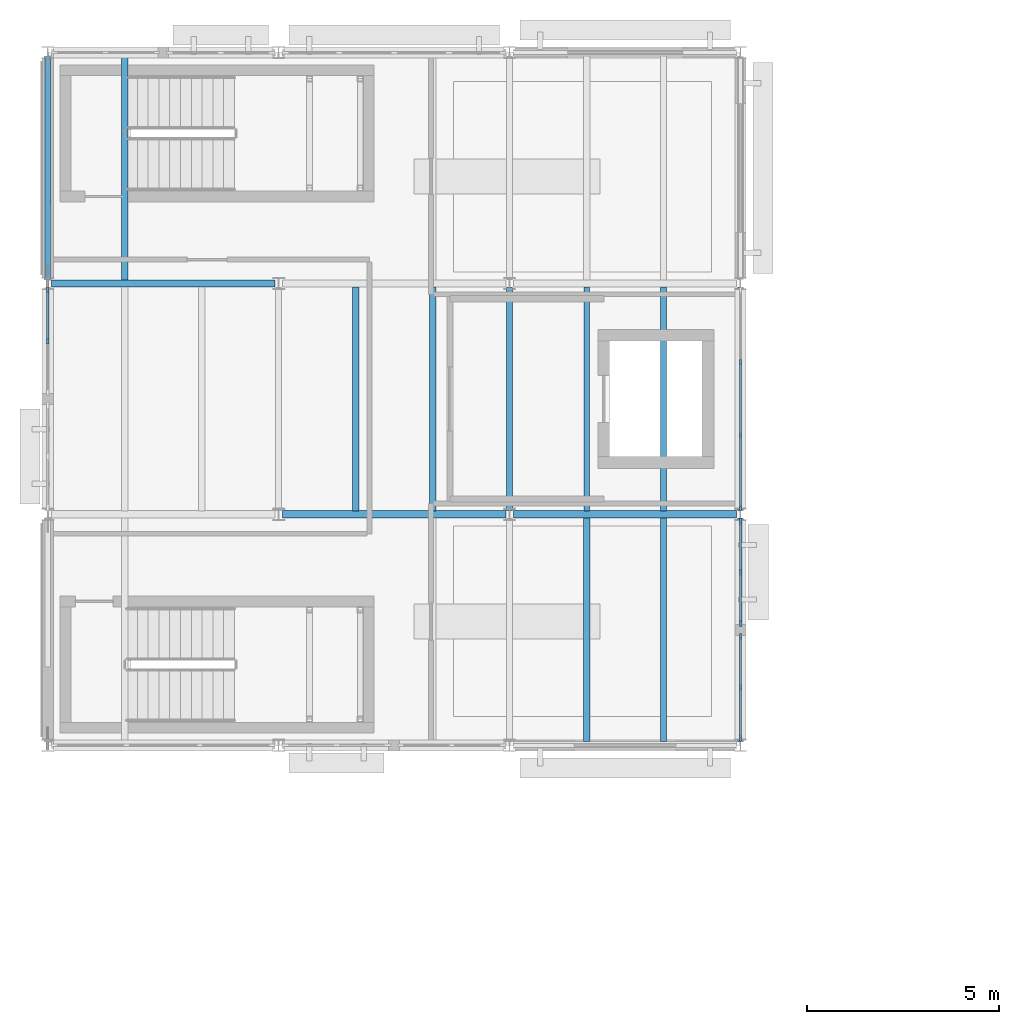
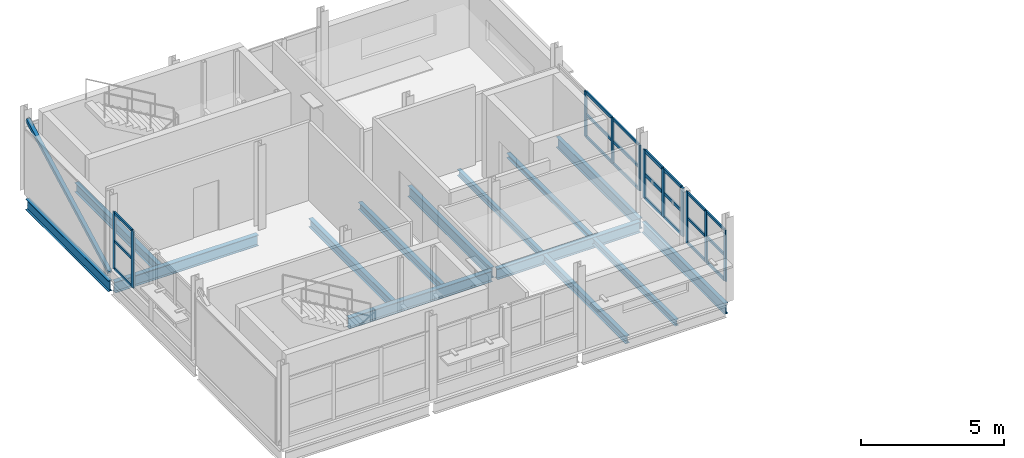
# One storey, part 4 of 20: 33 members, 14 beams, 4 elements without a shape of their own.
"""IFC4 building model written with IfcOpenShell, lengths in metres."""

import ifcopenshell
import ifcopenshell.guid

model = None  # the IFC model being written
_history = None  # IfcOwnerHistory: only IFC2X3 demands one
_inside = {}  # id of a spatial element -> (the spatial element, [elements in it])
_under = {}  # id of a project, library or spatial element -> (it, [spatial elements below it])
_declared = {}  # id of a project -> (the project, [libraries it declares])
_typed = {}  # id of a type object -> (the type object, [elements of that type])
_made_of = {}  # id of a material, layer set ... -> (it, [elements and type objects made of it])


def new_model(schema):
    """Start an empty IFC model of exactly this schema.

    Asked for "IFC4X3", IfcOpenShell would pick the latest addendum, in which some entities
    have other attributes; the version numbers below select the first issue.
    IFC2X3 requires an IfcOwnerHistory on every rooted entity: one is made here for all.
    """
    global model, _history
    if schema == "IFC4X3":
        model = ifcopenshell.file(schema_version=(4, 3, 0, 0))
    else:
        model = ifcopenshell.file(schema=schema)
    _inside.clear()
    _under.clear()
    _declared.clear()
    _typed.clear()
    _made_of.clear()
    _history = None
    if model.schema == "IFC2X3":
        org = make("IfcOrganization", Name="unknown")
        user = make(
            "IfcPersonAndOrganization",
            ThePerson=make("IfcPerson", FamilyName="unknown"),
            TheOrganization=org,
        )
        app = make(
            "IfcApplication",
            ApplicationDeveloper=org,
            Version="unknown",
            ApplicationFullName="unknown",
            ApplicationIdentifier="unknown",
        )
        _history = make(
            "IfcOwnerHistory",
            OwningUser=user,
            OwningApplication=app,
            ChangeAction="ADDED",
            CreationDate=0,
        )
    return model


def make(cls, **values):
    """One entity of the class cls with the attributes given. An attribute that is None is left unset."""
    return model.create_entity(
        cls, **{name: value for name, value in values.items() if value is not None}
    )


def rooted(cls, **values):
    """An entity with a GlobalId (a new one), such as an element, a storey or a relation."""
    return make(cls, GlobalId=ifcopenshell.guid.new(), OwnerHistory=_history, **values)


def si_unit(unit_type, name, prefix=None):
    """IfcSIUnit, for example si_unit("LENGTHUNIT", "METRE", prefix="MILLI")."""
    return make("IfcSIUnit", UnitType=unit_type, Prefix=prefix, Name=name)


def assignment(units):
    """IfcUnitAssignment: the units of a project."""
    return None if units is None else make("IfcUnitAssignment", Units=units)


def point(xyz):
    """IfcCartesianPoint."""
    return None if xyz is None else make("IfcCartesianPoint", Coordinates=xyz)


def direction(xyz):
    """IfcDirection."""
    return None if xyz is None else make("IfcDirection", DirectionRatios=xyz)


def frame(location, z_axis=None, x_axis=None):
    """IfcAxis2Placement3D, a coordinate frame: its origin and axes. An axis left out is left unset."""
    return make(
        "IfcAxis2Placement3D",
        Location=point(location),
        Axis=direction(z_axis),
        RefDirection=direction(x_axis),
    )


def frame_2d(location, x_axis=None):
    """IfcAxis2Placement2D, a coordinate frame in the plane: its origin and x axis."""
    return make(
        "IfcAxis2Placement2D", Location=point(location), RefDirection=direction(x_axis)
    )


def origin():
    """The frame at (0, 0, 0) with its axes left unset."""
    return frame((0.0, 0.0, 0.0))


def origin_2d():
    """The frame at (0, 0) in the plane with its x axis left unset."""
    return frame_2d((0.0, 0.0))


def place(relative_to, where):
    """IfcLocalPlacement: puts the frame where relative to a parent placement (None: the world)."""
    return make(
        "IfcLocalPlacement", PlacementRelTo=relative_to, RelativePlacement=where
    )


def context(
    kind, dimensions, precision=None, world=None, true_north=None, identifier=None
):
    """IfcGeometricRepresentationContext, for example the 3D "Model" context."""
    return make(
        "IfcGeometricRepresentationContext",
        ContextIdentifier=identifier,
        ContextType=kind,
        CoordinateSpaceDimension=dimensions,
        Precision=precision,
        WorldCoordinateSystem=world,
        TrueNorth=true_north,
    )


def subcontext(parent, identifier, kind, view, scale=None):
    """IfcGeometricRepresentationSubContext, for example "Body" below "Model"."""
    return make(
        "IfcGeometricRepresentationSubContext",
        ContextIdentifier=identifier,
        ContextType=kind,
        ParentContext=parent,
        TargetScale=scale,
        TargetView=view,
    )


def project(units=None, contexts=None):
    """IfcProject with its units and contexts."""
    return rooted(
        "IfcProject",
        Name="project",
        RepresentationContexts=contexts,
        UnitsInContext=assignment(units),
    )


def spatial(cls, under=None, at=None, **own):
    """A site, building, storey or space (cls), placed at a placement, below another one or the project."""
    s = rooted(cls, ObjectPlacement=at, **own)
    if under is not None:
        _under.setdefault(under.id(), (under, []))[1].append(s)
    return s


def profile(cls, at=None, kind="AREA", **sizes):
    """A parametric profile (cls). Its sizes go by their IFC names, for example OverallWidth=200.0."""
    return make(cls, ProfileType=kind, Position=at, **sizes)


def rectangle(**sizes):
    """IfcRectangleProfileDef."""
    return profile("IfcRectangleProfileDef", **sizes)


def hollow_rectangle(**sizes):
    """IfcRectangleHollowProfileDef."""
    return profile("IfcRectangleHollowProfileDef", **sizes)


def i_section(**sizes):
    """IfcIShapeProfileDef."""
    return profile("IfcIShapeProfileDef", **sizes)


def extrude(swept, where, along, depth):
    """IfcExtrudedAreaSolid: the profile swept, set in the frame where, extruded along a direction by depth."""
    return make(
        "IfcExtrudedAreaSolid",
        SweptArea=swept,
        Position=where,
        ExtrudedDirection=direction(along),
        Depth=depth,
    )


def shape(context_of_items, identifier, shape_type, items):
    """IfcShapeRepresentation: the items that make up one representation, for example the "Body"."""
    return make(
        "IfcShapeRepresentation",
        ContextOfItems=context_of_items,
        RepresentationIdentifier=identifier,
        RepresentationType=shape_type,
        Items=items,
    )


def material(Name=None, Category=None):
    """IfcMaterial."""
    return make("IfcMaterial", Name=Name, Category=Category)


def material_profile(
    of_material, cross_section, Name=None, Category=None, Priority=None
):
    """IfcMaterialProfile: a cross section and its material."""
    return make(
        "IfcMaterialProfile",
        Name=Name,
        Material=of_material,
        Profile=cross_section,
        Priority=Priority,
        Category=Category,
    )


def profile_set(profiles, Name=None, composite=None):
    """IfcMaterialProfileSet."""
    return make(
        "IfcMaterialProfileSet",
        Name=Name,
        MaterialProfiles=profiles,
        CompositeProfile=composite,
    )


def made_of(thing, what):
    """Note that an element or type object is made of a material, layer set ...; save() writes the relation."""
    if what is not None:
        _made_of.setdefault(what.id(), (what, []))[1].append(thing)
    return thing


def type_object(cls, material=None, **own):
    """A type object (cls), such as IfcWallType, which elements share."""
    return made_of(rooted(cls, **own), material)


def element(
    cls,
    number,
    at=None,
    inside=None,
    cuts=None,
    type_object=None,
    material=None,
    context=None,
    identifier="Body",
    shape_type=None,
    held_by="IfcProductDefinitionShape",
    body=None,
    shapes=None,
    **own,
):
    """One element of the class cls, such as IfcWall. Its Tag is "e" and its number.

    at: its placement. inside: the storey or other place that contains it. cuts: it is an
    opening in that element (IfcRelVoidsElement). A single representation is given by context,
    identifier, shape_type and body (its items); several are given by shapes. held_by: the class
    of the entity that holds the representations. save() writes the other relations.
    """
    e = rooted(cls, Tag="e%d" % number, ObjectPlacement=at, **own)
    if body is not None:
        shapes = [shape(context, identifier, shape_type, body)]
    if shapes is not None:
        e.Representation = make(held_by, Representations=shapes)
    if inside is not None:
        _inside.setdefault(inside.id(), (inside, []))[1].append(e)
    if cuts is not None:
        rooted(
            "IfcRelVoidsElement", RelatingBuildingElement=cuts, RelatedOpeningElement=e
        )
    if type_object is not None:
        _typed.setdefault(type_object.id(), (type_object, []))[1].append(e)
    return made_of(e, material)


def aggregate(whole, parts):
    """IfcRelAggregates: a whole, such as a stair, and the parts it consists of."""
    return rooted("IfcRelAggregates", RelatingObject=whole, RelatedObjects=parts)


def save(model, path):
    """Write the relations noted so far, then the file.

    IfcRelAggregates (storeys below a building ...), IfcRelContainedInSpatialStructure (elements
    in a storey), IfcRelDefinesByType, IfcRelAssociatesMaterial and IfcRelDeclares: one each for
    every whole, place, type object, material and project.
    """
    for whole, parts in _under.values():
        aggregate(whole, parts)
    for where, things in _inside.values():
        rooted(
            "IfcRelContainedInSpatialStructure",
            RelatedElements=things,
            RelatingStructure=where,
        )
    for kind, things in _typed.values():
        rooted("IfcRelDefinesByType", RelatedObjects=things, RelatingType=kind)
    for what, things in _made_of.values():
        rooted("IfcRelAssociatesMaterial", RelatedObjects=things, RelatingMaterial=what)
    for by, libraries in _declared.values():
        rooted("IfcRelDeclares", RelatingContext=by, RelatedDefinitions=libraries)
    model.write(path)


model = new_model("IFC4")

# Units and contexts
model_context = context("Model", 3, precision=1e-05, world=origin(), true_north=direction((0.0, 1.0)))
body_context = subcontext(model_context, "Body", "Model", "MODEL_VIEW")
ifc_project = project(units=[si_unit("LENGTHUNIT", "METRE"), si_unit("AREAUNIT", "SQUARE_METRE"), si_unit("VOLUMEUNIT", "CUBIC_METRE"), si_unit("PLANEANGLEUNIT", "RADIAN"), si_unit("MASSUNIT", "GRAM", prefix="KILO")], contexts=[model_context])

# Site, building, storey
site_placement = place(None, origin())
site = spatial("IfcSite", under=ifc_project, at=site_placement, CompositionType="ELEMENT")
building_placement = place(site_placement, origin())
building = spatial("IfcBuilding", under=site, at=building_placement, Name="Siltcreek Boulevard Central Fire Station", CompositionType="ELEMENT")
storey_placement = place(building_placement, frame((0.0, 0.0, 18.0)))
storey = spatial("IfcBuildingStorey", under=building, at=storey_placement, Name="L05", CompositionType="ELEMENT", Elevation=18.0)

# Beams
ifc_material_1 = material(Name="Structural steel ASTM A992 Gr50", Category="steel")
ifc_material_profile_1 = material_profile(ifc_material_1, i_section(OverallWidth=0.154052734375, OverallDepth=0.458984375, WebThickness=0.009033203125, FlangeThickness=0.015380859375, at=origin_2d()), Name="W460X68")
ifc_profile_set_1 = profile_set([ifc_material_profile_1], Name="Structural steel ASTM A992 Gr50")
beam_type_1 = type_object("IfcBeamType", Name="BM_W460X68", PredefinedType="BEAM", material=ifc_profile_set_1)
for number, where, z_axis, x_axis, name in (
    (1, (42.0, 106.300048828125, -0.469482421875), (0.0, 1.0, 0.0), (-1.0, 0.0, 0.0), "L05 primary steel girder GY-0608"),
    (2, (54.0, 100.300048828125, -0.469482421875), (0.0, 1.0, 0.0), (-1.0, 0.0, 0.0), "L05 primary steel girder GY-0611"),
    (3, (60.0, 94.300048828125, -0.469482421875), (0.0, 1.0, 0.0), (-1.0, 0.0, 0.0), "L05 primary steel girder GY-0613"),
    (4, (60.0, 100.300048828125, -0.469482421875), (0.0, 1.0, 0.0), (-1.0, 0.0, 0.0), "L05 primary steel girder GY-0614"),
):
    element("IfcBeam", number, at=place(storey_placement, frame(where, z_axis=z_axis, x_axis=x_axis)), inside=storey, type_object=beam_type_1, Name=name, PredefinedType="BEAM", context=body_context, shape_type="SweptSolid", body=[
        extrude(i_section(OverallWidth=0.154052734375, OverallDepth=0.458984375, WebThickness=0.009033203125, FlangeThickness=0.015380859375, at=origin_2d()), origin(), (0.0, 0.0, 1.0), 5.800048828125),
    ])
ifc_material_profile_2 = material_profile(ifc_material_1, i_section(OverallWidth=0.19189453125, OverallDepth=0.462890625, WebThickness=0.010498046875, FlangeThickness=0.017578125, at=origin_2d()), Name="W460X89")
ifc_profile_set_2 = profile_set([ifc_material_profile_2], Name="Structural steel ASTM A992 Gr50")
beam_type_2 = type_object("IfcBeamType", Name="BM_W460X89", PredefinedType="BEAM", material=ifc_profile_set_2)
for number, where, z_axis, x_axis, name in (
    (5, (48.10009765625, 100.199951171875, -0.471435546875), (1.0, 0.0, 0.0), (0.0, 1.0, 0.0), "L05 primary steel girder GX-0598"),
    (6, (54.10009765625, 100.199951171875, -0.471435546875), (1.0, 0.0, 0.0), (0.0, 1.0, 0.0), "L05 primary steel girder GX-0599"),
    (7, (42.10009765625, 106.199951171875, -0.471435546875), (1.0, 0.0, 0.0), (0.0, 1.0, 0.0), "L05 primary steel girder GX-0600"),
):
    element("IfcBeam", number, at=place(storey_placement, frame(where, z_axis=z_axis, x_axis=x_axis)), inside=storey, type_object=beam_type_2, Name=name, PredefinedType="BEAM", context=body_context, shape_type="SweptSolid", body=[
        extrude(i_section(OverallWidth=0.19189453125, OverallDepth=0.462890625, WebThickness=0.010498046875, FlangeThickness=0.017578125, at=origin_2d()), origin(), (0.0, 0.0, 1.0), 5.7998046875),
    ])

# Member
ifc_material_2 = material(Name="Structural steel ASTM A500 GrC", Category="steel")
ifc_material_profile_3 = material_profile(ifc_material_2, hollow_rectangle(XDim=0.14990234375, YDim=0.14990234375, WallThickness=0.00634765625, at=origin_2d()), Name="HSS150X150X6.4")
ifc_profile_set_3 = profile_set([ifc_material_profile_3], Name="Structural steel ASTM A500 GrC")
member_type_1 = type_object("IfcMemberType", Name="BR_HSS150_6", PredefinedType="BRACE", material=ifc_profile_set_3)
member_1_placement = place(storey_placement, frame((42.0, 106.320068359375, 0.10009765625), z_axis=(0.0, 0.883763313865, 0.467934188819), x_axis=(-1.0, 0.0, 0.0)))
element("IfcMember", 8, at=member_1_placement, inside=storey, type_object=member_type_1, Name="L05 SCBF concentrically braced frame BR-023", PredefinedType="BRACE", context=body_context, shape_type="SweptSolid", body=[
    extrude(hollow_rectangle(XDim=0.14990234375, YDim=0.14990234375, WallThickness=0.00634765625, at=origin_2d()), origin(), (0.0, 0.0, 1.0), 6.517578125),
])

# Curtain wall, members
ifc_material_3 = material(Name="Anodized aluminum and low-E insulated glazing", Category="aluminium")
curtain_wall_type_1 = type_object("IfcCurtainWallType", Name="CW_SYS_14", PredefinedType="USERDEFINED", material=ifc_material_3)
curtain_wall_1_placement = place(storey_placement, origin())
curtain_wall_1 = element("IfcCurtainWall", 9, at=curtain_wall_1_placement, inside=storey, type_object=curtain_wall_type_1, Name="L05 V3 unitised curtain wall CW-073", ObjectType="CURTAIN WALL", PredefinedType="USERDEFINED")
ifc_material_4 = material(Name="Anodized 6063-T6 aluminum framing", Category="aluminium")
ifc_material_profile_4 = material_profile(ifc_material_4, rectangle(XDim=0.06005859375, YDim=0.14990234375, at=origin_2d()), Name="MULL60X150")
ifc_profile_set_4 = profile_set([ifc_material_profile_4], Name="Anodized 6063-T6 aluminum framing")
member_type_2 = type_object("IfcMemberType", Name="CWM_60X150", PredefinedType="MULLION", material=ifc_profile_set_4)
member_2_placement = place(storey_placement, frame((42.0, 106.02490234375, 0.43994140625), z_axis=(0.0, 0.0, 1.0), x_axis=(1.0, 0.0, 0.0)))
member_2 = element("IfcMember", 10, at=member_2_placement, type_object=member_type_2, Name="CW-073 mullion 1", PredefinedType="MULLION", context=body_context, shape_type="SweptSolid", body=[
    extrude(rectangle(XDim=0.06005859375, YDim=0.14990234375, at=origin_2d()), origin(), (0.0, 0.0, 1.0), 2.43310546875),
])
member_3_placement = place(storey_placement, frame((42.0, 104.697509765625, 0.43994140625), z_axis=(0.0, 0.0, 1.0), x_axis=(1.0, 0.0, 0.0)))
member_3 = element("IfcMember", 11, at=member_3_placement, type_object=member_type_2, Name="CW-073 mullion 2", PredefinedType="MULLION", context=body_context, shape_type="SweptSolid", body=[
    extrude(rectangle(XDim=0.06005859375, YDim=0.14990234375, at=origin_2d()), origin(), (0.0, 0.0, 1.0), 2.43310546875),
])

curtain_wall_type_2 = type_object("IfcCurtainWallType", Name="CW_SYS_16", PredefinedType="USERDEFINED", material=ifc_material_3)
curtain_wall_2_placement = place(storey_placement, origin())
curtain_wall_2 = element("IfcCurtainWall", 12, at=curtain_wall_2_placement, inside=storey, type_object=curtain_wall_type_2, Name="L05 V3 unitised curtain wall CW-075", ObjectType="CURTAIN WALL", PredefinedType="USERDEFINED")
member_4_placement = place(storey_placement, frame((60.0, 94.375, 0.679931640625), z_axis=(0.0, 0.0, 1.0), x_axis=(-1.0, 0.0, 0.0)))
member_4 = element("IfcMember", 13, at=member_4_placement, type_object=member_type_2, Name="CW-075 mullion 1", PredefinedType="MULLION", context=body_context, shape_type="SweptSolid", body=[
    extrude(rectangle(XDim=0.06005859375, YDim=0.14990234375, at=origin_2d()), origin(), (0.0, 0.0, 1.0), 2.193115234375),
])
member_5_placement = place(storey_placement, frame((60.0, 95.702392578125, 0.679931640625), z_axis=(0.0, 0.0, 1.0), x_axis=(-1.0, 0.0, 0.0)))
member_5 = element("IfcMember", 14, at=member_5_placement, type_object=member_type_2, Name="CW-075 mullion 2", PredefinedType="MULLION", context=body_context, shape_type="SweptSolid", body=[
    extrude(rectangle(XDim=0.06005859375, YDim=0.14990234375, at=origin_2d()), origin(), (0.0, 0.0, 1.0), 2.193115234375),
])
member_6_placement = place(storey_placement, frame((60.0, 97.030029296875, 0.679931640625), z_axis=(0.0, 0.0, 1.0), x_axis=(-1.0, 0.0, 0.0)))
member_6 = element("IfcMember", 15, at=member_6_placement, type_object=member_type_2, Name="CW-075 mullion 3", PredefinedType="MULLION", context=body_context, shape_type="SweptSolid", body=[
    extrude(rectangle(XDim=0.06005859375, YDim=0.14990234375, at=origin_2d()), origin(), (0.0, 0.0, 1.0), 2.193115234375),
])

curtain_wall_type_3 = type_object("IfcCurtainWallType", Name="CW_SYS_18", PredefinedType="USERDEFINED", material=ifc_material_3)
curtain_wall_3_placement = place(storey_placement, origin())
curtain_wall_3 = element("IfcCurtainWall", 16, at=curtain_wall_3_placement, inside=storey, type_object=curtain_wall_type_3, Name="L05 V3 unitised curtain wall CW-077", ObjectType="CURTAIN WALL", PredefinedType="USERDEFINED")
member_7_placement = place(storey_placement, frame((60.0, 100.375, 0.919921875), z_axis=(0.0, 0.0, 1.0), x_axis=(-1.0, 0.0, 0.0)))
member_7 = element("IfcMember", 17, at=member_7_placement, type_object=member_type_2, Name="CW-077 mullion 1", PredefinedType="MULLION", context=body_context, shape_type="SweptSolid", body=[
    extrude(rectangle(XDim=0.06005859375, YDim=0.14990234375, at=origin_2d()), origin(), (0.0, 0.0, 1.0), 1.953125),
])
member_8_placement = place(storey_placement, frame((60.0, 102.248291015625, 0.919921875), z_axis=(0.0, 0.0, 1.0), x_axis=(-1.0, 0.0, 0.0)))
member_8 = element("IfcMember", 18, at=member_8_placement, type_object=member_type_2, Name="CW-077 mullion 2", PredefinedType="MULLION", context=body_context, shape_type="SweptSolid", body=[
    extrude(rectangle(XDim=0.06005859375, YDim=0.14990234375, at=origin_2d()), origin(), (0.0, 0.0, 1.0), 1.953125),
])
member_9_placement = place(storey_placement, frame((60.0, 104.151611328125, 0.919921875), z_axis=(0.0, 0.0, 1.0), x_axis=(-1.0, 0.0, 0.0)))
member_9 = element("IfcMember", 19, at=member_9_placement, type_object=member_type_2, Name="CW-077 mullion 3", PredefinedType="MULLION", context=body_context, shape_type="SweptSolid", body=[
    extrude(rectangle(XDim=0.06005859375, YDim=0.14990234375, at=origin_2d()), origin(), (0.0, 0.0, 1.0), 1.953125),
])

curtain_wall_type_4 = type_object("IfcCurtainWallType", Name="CW_SYS_17", PredefinedType="USERDEFINED", material=ifc_material_3)
curtain_wall_4_placement = place(storey_placement, origin())
curtain_wall_4 = element("IfcCurtainWall", 20, at=curtain_wall_4_placement, inside=storey, type_object=curtain_wall_type_4, Name="L05 V3 unitised curtain wall CW-076", ObjectType="CURTAIN WALL", PredefinedType="USERDEFINED")
ifc_material_profile_5 = material_profile(ifc_material_4, rectangle(XDim=0.06494140625, YDim=0.175048828125, at=origin_2d()), Name="MULL65X175")
ifc_profile_set_5 = profile_set([ifc_material_profile_5], Name="Anodized 6063-T6 aluminum framing")
member_type_3 = type_object("IfcMemberType", Name="CWM_65X175", PredefinedType="MULLION", material=ifc_profile_set_5)
member_10_placement = place(storey_placement, frame((60.0, 97.37255859375, 0.800048828125), z_axis=(0.0, 0.0, 1.0), x_axis=(-1.0, 0.0, 0.0)))
member_10 = element("IfcMember", 21, at=member_10_placement, type_object=member_type_3, Name="CW-076 mullion 1", PredefinedType="MULLION", context=body_context, shape_type="SweptSolid", body=[
    extrude(rectangle(XDim=0.06494140625, YDim=0.175048828125, at=origin_2d()), origin(), (0.0, 0.0, 1.0), 2.072998046875),
])
member_11_placement = place(storey_placement, frame((60.0, 98.697509765625, 0.800048828125), z_axis=(0.0, 0.0, 1.0), x_axis=(-1.0, 0.0, 0.0)))
member_11 = element("IfcMember", 22, at=member_11_placement, type_object=member_type_3, Name="CW-076 mullion 2", PredefinedType="MULLION", context=body_context, shape_type="SweptSolid", body=[
    extrude(rectangle(XDim=0.06494140625, YDim=0.175048828125, at=origin_2d()), origin(), (0.0, 0.0, 1.0), 2.072998046875),
])
member_12_placement = place(storey_placement, frame((60.0, 100.0224609375, 0.800048828125), z_axis=(0.0, 0.0, 1.0), x_axis=(-1.0, 0.0, 0.0)))
member_12 = element("IfcMember", 23, at=member_12_placement, type_object=member_type_3, Name="CW-076 mullion 3", PredefinedType="MULLION", context=body_context, shape_type="SweptSolid", body=[
    extrude(rectangle(XDim=0.06494140625, YDim=0.175048828125, at=origin_2d()), origin(), (0.0, 0.0, 1.0), 2.072998046875),
])

# Member
ifc_material_profile_6 = material_profile(ifc_material_4, rectangle(XDim=0.06005859375, YDim=0.114990234375, at=origin_2d()), Name="TRAN60X115")
ifc_profile_set_6 = profile_set([ifc_material_profile_6], Name="Anodized 6063-T6 aluminum framing")
member_type_4 = type_object("IfcMemberType", Name="CWT_60X115", PredefinedType="USERDEFINED", material=ifc_profile_set_6)
member_13_placement = place(storey_placement, frame((42.0, 105.9951171875, 0.469970703125), z_axis=(0.0, -1.0, 0.0), x_axis=(1.0, 0.0, 0.0)))
member_13 = element("IfcMember", 24, at=member_13_placement, type_object=member_type_4, Name="CW-073 transom 1.1", ObjectType="TRANSOM", PredefinedType="USERDEFINED", context=body_context, shape_type="SweptSolid", body=[
    extrude(rectangle(XDim=0.06005859375, YDim=0.114990234375, at=origin_2d()), origin(), (0.0, 0.0, 1.0), 1.267578125),
])

member_14_placement = place(storey_placement, frame((42.0, 105.9951171875, 1.656494140625), z_axis=(0.0, -1.0, 0.0), x_axis=(1.0, 0.0, 0.0)))
member_14 = element("IfcMember", 25, at=member_14_placement, type_object=member_type_4, Name="CW-073 transom 1.2", ObjectType="TRANSOM", PredefinedType="USERDEFINED", context=body_context, shape_type="SweptSolid", body=[
    extrude(rectangle(XDim=0.06005859375, YDim=0.114990234375, at=origin_2d()), origin(), (0.0, 0.0, 1.0), 1.267578125),
])

member_15_placement = place(storey_placement, frame((42.0, 105.9951171875, 2.843017578125), z_axis=(0.0, -1.0, 0.0), x_axis=(1.0, 0.0, 0.0)))
member_15 = element("IfcMember", 26, at=member_15_placement, type_object=member_type_4, Name="CW-073 transom 1.3", ObjectType="TRANSOM", PredefinedType="USERDEFINED", context=body_context, shape_type="SweptSolid", body=[
    extrude(rectangle(XDim=0.06005859375, YDim=0.114990234375, at=origin_2d()), origin(), (0.0, 0.0, 1.0), 1.267578125),
])

aggregate(curtain_wall_1, [member_2, member_3, member_13, member_14, member_15])

member_16_placement = place(storey_placement, frame((60.0, 94.405029296875, 0.7099609375), z_axis=(0.0, 1.0, 0.0), x_axis=(-1.0, 0.0, 0.0)))
member_16 = element("IfcMember", 27, at=member_16_placement, type_object=member_type_4, Name="CW-075 transom 1.1", ObjectType="TRANSOM", PredefinedType="USERDEFINED", context=body_context, shape_type="SweptSolid", body=[
    extrude(rectangle(XDim=0.06005859375, YDim=0.114990234375, at=origin_2d()), origin(), (0.0, 0.0, 1.0), 1.267578125),
])

member_17_placement = place(storey_placement, frame((60.0, 94.405029296875, 1.776611328125), z_axis=(0.0, 1.0, 0.0), x_axis=(-1.0, 0.0, 0.0)))
member_17 = element("IfcMember", 28, at=member_17_placement, type_object=member_type_4, Name="CW-075 transom 1.2", ObjectType="TRANSOM", PredefinedType="USERDEFINED", context=body_context, shape_type="SweptSolid", body=[
    extrude(rectangle(XDim=0.06005859375, YDim=0.114990234375, at=origin_2d()), origin(), (0.0, 0.0, 1.0), 1.267578125),
])

member_18_placement = place(storey_placement, frame((60.0, 94.405029296875, 2.843017578125), z_axis=(0.0, 1.0, 0.0), x_axis=(-1.0, 0.0, 0.0)))
member_18 = element("IfcMember", 29, at=member_18_placement, type_object=member_type_4, Name="CW-075 transom 1.3", ObjectType="TRANSOM", PredefinedType="USERDEFINED", context=body_context, shape_type="SweptSolid", body=[
    extrude(rectangle(XDim=0.06005859375, YDim=0.114990234375, at=origin_2d()), origin(), (0.0, 0.0, 1.0), 1.267578125),
])

member_19_placement = place(storey_placement, frame((60.0, 95.732421875, 0.7099609375), z_axis=(0.0, 1.0, 0.0), x_axis=(-1.0, 0.0, 0.0)))
member_19 = element("IfcMember", 30, at=member_19_placement, type_object=member_type_4, Name="CW-075 transom 2.1", ObjectType="TRANSOM", PredefinedType="USERDEFINED", context=body_context, shape_type="SweptSolid", body=[
    extrude(rectangle(XDim=0.06005859375, YDim=0.114990234375, at=origin_2d()), origin(), (0.0, 0.0, 1.0), 1.267578125),
])

member_20_placement = place(storey_placement, frame((60.0, 95.732421875, 1.776611328125), z_axis=(0.0, 1.0, 0.0), x_axis=(-1.0, 0.0, 0.0)))
member_20 = element("IfcMember", 31, at=member_20_placement, type_object=member_type_4, Name="CW-075 transom 2.2", ObjectType="TRANSOM", PredefinedType="USERDEFINED", context=body_context, shape_type="SweptSolid", body=[
    extrude(rectangle(XDim=0.06005859375, YDim=0.114990234375, at=origin_2d()), origin(), (0.0, 0.0, 1.0), 1.267578125),
])

member_21_placement = place(storey_placement, frame((60.0, 95.732421875, 2.843017578125), z_axis=(0.0, 1.0, 0.0), x_axis=(-1.0, 0.0, 0.0)))
member_21 = element("IfcMember", 32, at=member_21_placement, type_object=member_type_4, Name="CW-075 transom 2.3", ObjectType="TRANSOM", PredefinedType="USERDEFINED", context=body_context, shape_type="SweptSolid", body=[
    extrude(rectangle(XDim=0.06005859375, YDim=0.114990234375, at=origin_2d()), origin(), (0.0, 0.0, 1.0), 1.267578125),
])

aggregate(curtain_wall_2, [member_4, member_5, member_6, member_16, member_17, member_18, member_19, member_20, member_21])

member_22_placement = place(storey_placement, frame((60.0, 100.405029296875, 0.949951171875), z_axis=(0.0, 1.0, 0.0), x_axis=(-1.0, 0.0, 0.0)))
member_22 = element("IfcMember", 33, at=member_22_placement, type_object=member_type_4, Name="CW-077 transom 1.1", ObjectType="TRANSOM", PredefinedType="USERDEFINED", context=body_context, shape_type="SweptSolid", body=[
    extrude(rectangle(XDim=0.06005859375, YDim=0.114990234375, at=origin_2d()), origin(), (0.0, 0.0, 1.0), 1.813232421875),
])

member_23_placement = place(storey_placement, frame((60.0, 100.405029296875, 1.896484375), z_axis=(0.0, 1.0, 0.0), x_axis=(-1.0, 0.0, 0.0)))
member_23 = element("IfcMember", 34, at=member_23_placement, type_object=member_type_4, Name="CW-077 transom 1.2", ObjectType="TRANSOM", PredefinedType="USERDEFINED", context=body_context, shape_type="SweptSolid", body=[
    extrude(rectangle(XDim=0.06005859375, YDim=0.114990234375, at=origin_2d()), origin(), (0.0, 0.0, 1.0), 1.813232421875),
])

member_24_placement = place(storey_placement, frame((60.0, 100.405029296875, 2.843017578125), z_axis=(0.0, 1.0, 0.0), x_axis=(-1.0, 0.0, 0.0)))
member_24 = element("IfcMember", 35, at=member_24_placement, type_object=member_type_4, Name="CW-077 transom 1.3", ObjectType="TRANSOM", PredefinedType="USERDEFINED", context=body_context, shape_type="SweptSolid", body=[
    extrude(rectangle(XDim=0.06005859375, YDim=0.114990234375, at=origin_2d()), origin(), (0.0, 0.0, 1.0), 1.813232421875),
])

member_25_placement = place(storey_placement, frame((60.0, 102.2783203125, 0.949951171875), z_axis=(0.0, 1.0, 0.0), x_axis=(-1.0, 0.0, 0.0)))
member_25 = element("IfcMember", 36, at=member_25_placement, type_object=member_type_4, Name="CW-077 transom 2.1", ObjectType="TRANSOM", PredefinedType="USERDEFINED", context=body_context, shape_type="SweptSolid", body=[
    extrude(rectangle(XDim=0.06005859375, YDim=0.114990234375, at=origin_2d()), origin(), (0.0, 0.0, 1.0), 1.84326171875),
])

member_26_placement = place(storey_placement, frame((60.0, 102.2783203125, 1.896484375), z_axis=(0.0, 1.0, 0.0), x_axis=(-1.0, 0.0, 0.0)))
member_26 = element("IfcMember", 37, at=member_26_placement, type_object=member_type_4, Name="CW-077 transom 2.2", ObjectType="TRANSOM", PredefinedType="USERDEFINED", context=body_context, shape_type="SweptSolid", body=[
    extrude(rectangle(XDim=0.06005859375, YDim=0.114990234375, at=origin_2d()), origin(), (0.0, 0.0, 1.0), 1.84326171875),
])

member_27_placement = place(storey_placement, frame((60.0, 102.2783203125, 2.843017578125), z_axis=(0.0, 1.0, 0.0), x_axis=(-1.0, 0.0, 0.0)))
member_27 = element("IfcMember", 38, at=member_27_placement, type_object=member_type_4, Name="CW-077 transom 2.3", ObjectType="TRANSOM", PredefinedType="USERDEFINED", context=body_context, shape_type="SweptSolid", body=[
    extrude(rectangle(XDim=0.06005859375, YDim=0.114990234375, at=origin_2d()), origin(), (0.0, 0.0, 1.0), 1.84326171875),
])

aggregate(curtain_wall_3, [member_7, member_8, member_9, member_22, member_23, member_24, member_25, member_26, member_27])

ifc_material_profile_7 = material_profile(ifc_material_4, rectangle(XDim=0.06494140625, YDim=0.135009765625, at=origin_2d()), Name="TRAN65X135")
ifc_profile_set_7 = profile_set([ifc_material_profile_7], Name="Anodized 6063-T6 aluminum framing")
member_type_5 = type_object("IfcMemberType", Name="CWT_65X135", PredefinedType="USERDEFINED", material=ifc_profile_set_7)
member_28_placement = place(storey_placement, frame((60.0, 97.405029296875, 0.83251953125), z_axis=(0.0, 1.0, 0.0), x_axis=(-1.0, 0.0, 0.0)))
member_28 = element("IfcMember", 39, at=member_28_placement, type_object=member_type_5, Name="CW-076 transom 1.1", ObjectType="TRANSOM", PredefinedType="USERDEFINED", context=body_context, shape_type="SweptSolid", body=[
    extrude(rectangle(XDim=0.06494140625, YDim=0.135009765625, at=origin_2d()), origin(), (0.0, 0.0, 1.0), 1.260009765625),
])

member_29_placement = place(storey_placement, frame((60.0, 97.405029296875, 1.83642578125), z_axis=(0.0, 1.0, 0.0), x_axis=(-1.0, 0.0, 0.0)))
member_29 = element("IfcMember", 40, at=member_29_placement, type_object=member_type_5, Name="CW-076 transom 1.2", ObjectType="TRANSOM", PredefinedType="USERDEFINED", context=body_context, shape_type="SweptSolid", body=[
    extrude(rectangle(XDim=0.06494140625, YDim=0.135009765625, at=origin_2d()), origin(), (0.0, 0.0, 1.0), 1.260009765625),
])

member_30_placement = place(storey_placement, frame((60.0, 97.405029296875, 2.840576171875), z_axis=(0.0, 1.0, 0.0), x_axis=(-1.0, 0.0, 0.0)))
member_30 = element("IfcMember", 41, at=member_30_placement, type_object=member_type_5, Name="CW-076 transom 1.3", ObjectType="TRANSOM", PredefinedType="USERDEFINED", context=body_context, shape_type="SweptSolid", body=[
    extrude(rectangle(XDim=0.06494140625, YDim=0.135009765625, at=origin_2d()), origin(), (0.0, 0.0, 1.0), 1.260009765625),
])

member_31_placement = place(storey_placement, frame((60.0, 98.72998046875, 0.83251953125), z_axis=(0.0, 1.0, 0.0), x_axis=(-1.0, 0.0, 0.0)))
member_31 = element("IfcMember", 42, at=member_31_placement, type_object=member_type_5, Name="CW-076 transom 2.1", ObjectType="TRANSOM", PredefinedType="USERDEFINED", context=body_context, shape_type="SweptSolid", body=[
    extrude(rectangle(XDim=0.06494140625, YDim=0.135009765625, at=origin_2d()), origin(), (0.0, 0.0, 1.0), 1.260009765625),
])

member_32_placement = place(storey_placement, frame((60.0, 98.72998046875, 1.83642578125), z_axis=(0.0, 1.0, 0.0), x_axis=(-1.0, 0.0, 0.0)))
member_32 = element("IfcMember", 43, at=member_32_placement, type_object=member_type_5, Name="CW-076 transom 2.2", ObjectType="TRANSOM", PredefinedType="USERDEFINED", context=body_context, shape_type="SweptSolid", body=[
    extrude(rectangle(XDim=0.06494140625, YDim=0.135009765625, at=origin_2d()), origin(), (0.0, 0.0, 1.0), 1.260009765625),
])

member_33_placement = place(storey_placement, frame((60.0, 98.72998046875, 2.840576171875), z_axis=(0.0, 1.0, 0.0), x_axis=(-1.0, 0.0, 0.0)))
member_33 = element("IfcMember", 44, at=member_33_placement, type_object=member_type_5, Name="CW-076 transom 2.3", ObjectType="TRANSOM", PredefinedType="USERDEFINED", context=body_context, shape_type="SweptSolid", body=[
    extrude(rectangle(XDim=0.06494140625, YDim=0.135009765625, at=origin_2d()), origin(), (0.0, 0.0, 1.0), 1.260009765625),
])

aggregate(curtain_wall_4, [member_10, member_11, member_12, member_28, member_29, member_30, member_31, member_32, member_33])

# Beams
ifc_material_profile_8 = material_profile(ifc_material_1, i_section(OverallWidth=0.1650390625, OverallDepth=0.200927734375, WebThickness=0.006103515625, FlangeThickness=0.01025390625, at=origin_2d()), Name="W200X36")
ifc_profile_set_8 = profile_set([ifc_material_profile_8], Name="Structural steel ASTM A992 Gr50")
beam_type_3 = type_object("IfcBeamType", Name="JST_W200X36", PredefinedType="JOIST", material=ifc_profile_set_8)
beam_1_placement = place(storey_placement, frame((58.0, 100.2939453125, -0.340576171875), z_axis=(0.0, 1.0, 0.0), x_axis=(-1.0, 0.0, 0.0)))
element("IfcBeam", 45, at=beam_1_placement, inside=storey, type_object=beam_type_3, Name="L05 secondary steel floor joist 0514", PredefinedType="JOIST", context=body_context, shape_type="SweptSolid", body=[
    extrude(i_section(OverallWidth=0.1650390625, OverallDepth=0.200927734375, WebThickness=0.006103515625, FlangeThickness=0.01025390625, at=origin_2d()), origin(), (0.0, 0.0, 1.0), 5.81201171875),
])
ifc_material_profile_9 = material_profile(ifc_material_1, i_section(OverallWidth=0.14697265625, OverallDepth=0.261962890625, WebThickness=0.006591796875, FlangeThickness=0.01123046875, at=origin_2d()), Name="W250X39")
ifc_profile_set_9 = profile_set([ifc_material_profile_9], Name="Structural steel ASTM A992 Gr50")
beam_type_4 = type_object("IfcBeamType", Name="JST_W250X39", PredefinedType="JOIST", material=ifc_profile_set_9)
for number, where, z_axis, x_axis, name in (
    (46, (58.0, 94.2939453125, -0.37109375), (0.0, 1.0, 0.0), (-1.0, 0.0, 0.0), "L05 secondary steel floor joist 0508"),
    (47, (56.0, 100.2939453125, -0.37109375), (0.0, 1.0, 0.0), (-1.0, 0.0, 0.0), "L05 secondary steel floor joist 0513"),
):
    element("IfcBeam", number, at=place(storey_placement, frame(where, z_axis=z_axis, x_axis=x_axis)), inside=storey, type_object=beam_type_4, Name=name, PredefinedType="JOIST", context=body_context, shape_type="SweptSolid", body=[
        extrude(i_section(OverallWidth=0.14697265625, OverallDepth=0.261962890625, WebThickness=0.006591796875, FlangeThickness=0.01123046875, at=origin_2d()), origin(), (0.0, 0.0, 1.0), 5.81201171875),
    ])
ifc_material_profile_10 = material_profile(ifc_material_1, i_section(OverallWidth=0.166015625, OverallDepth=0.31298828125, WebThickness=0.006591796875, FlangeThickness=0.01123046875, at=origin_2d()), Name="W310X45")
ifc_profile_set_10 = profile_set([ifc_material_profile_10], Name="Structural steel ASTM A992 Gr50")
beam_type_5 = type_object("IfcBeamType", Name="JST_W310X45", PredefinedType="JOIST", material=ifc_profile_set_10)
for number, where, z_axis, x_axis, name in (
    (48, (56.0, 94.2939453125, -0.396484375), (0.0, 1.0, 0.0), (-1.0, 0.0, 0.0), "L05 secondary steel floor joist 0507"),
    (49, (52.0, 100.2939453125, -0.396484375), (0.0, 1.0, 0.0), (-1.0, 0.0, 0.0), "L05 secondary steel floor joist 0512"),
):
    element("IfcBeam", number, at=place(storey_placement, frame(where, z_axis=z_axis, x_axis=x_axis)), inside=storey, type_object=beam_type_5, Name=name, PredefinedType="JOIST", context=body_context, shape_type="SweptSolid", body=[
        extrude(i_section(OverallWidth=0.166015625, OverallDepth=0.31298828125, WebThickness=0.006591796875, FlangeThickness=0.01123046875, at=origin_2d()), origin(), (0.0, 0.0, 1.0), 5.81201171875),
    ])
ifc_material_profile_11 = material_profile(ifc_material_1, i_section(OverallWidth=0.172119140625, OverallDepth=0.35791015625, WebThickness=0.0078125, FlangeThickness=0.01318359375, at=origin_2d()), Name="W360X57")
ifc_profile_set_11 = profile_set([ifc_material_profile_11], Name="Structural steel ASTM A992 Gr50")
beam_type_6 = type_object("IfcBeamType", Name="JST_W360X57", PredefinedType="JOIST", material=ifc_profile_set_11)
beam_2_placement = place(storey_placement, frame((50.0, 100.2939453125, -0.4189453125), z_axis=(0.0, 1.0, 0.0), x_axis=(-1.0, 0.0, 0.0)))
element("IfcBeam", 50, at=beam_2_placement, inside=storey, type_object=beam_type_6, Name="L05 secondary steel floor joist 0511", PredefinedType="JOIST", context=body_context, shape_type="SweptSolid", body=[
    extrude(i_section(OverallWidth=0.172119140625, OverallDepth=0.35791015625, WebThickness=0.0078125, FlangeThickness=0.01318359375, at=origin_2d()), origin(), (0.0, 0.0, 1.0), 5.81201171875),
])
ifc_material_profile_12 = material_profile(ifc_material_1, i_section(OverallWidth=0.177001953125, OverallDepth=0.403076171875, WebThickness=0.007568359375, FlangeThickness=0.010986328125, at=origin_2d()), Name="W410X53")
ifc_profile_set_12 = profile_set([ifc_material_profile_12], Name="Structural steel ASTM A992 Gr50")
beam_type_7 = type_object("IfcBeamType", Name="JST_W410X53", PredefinedType="JOIST", material=ifc_profile_set_12)
beam_3_placement = place(storey_placement, frame((44.0, 106.2939453125, -0.44140625), z_axis=(0.0, 1.0, 0.0), x_axis=(-1.0, 0.0, 0.0)))
element("IfcBeam", 51, at=beam_3_placement, inside=storey, type_object=beam_type_7, Name="L05 secondary steel floor joist 0515", PredefinedType="JOIST", context=body_context, shape_type="SweptSolid", body=[
    extrude(i_section(OverallWidth=0.177001953125, OverallDepth=0.403076171875, WebThickness=0.007568359375, FlangeThickness=0.010986328125, at=origin_2d()), origin(), (0.0, 0.0, 1.0), 5.81201171875),
])

save(model, "model.ifc")
